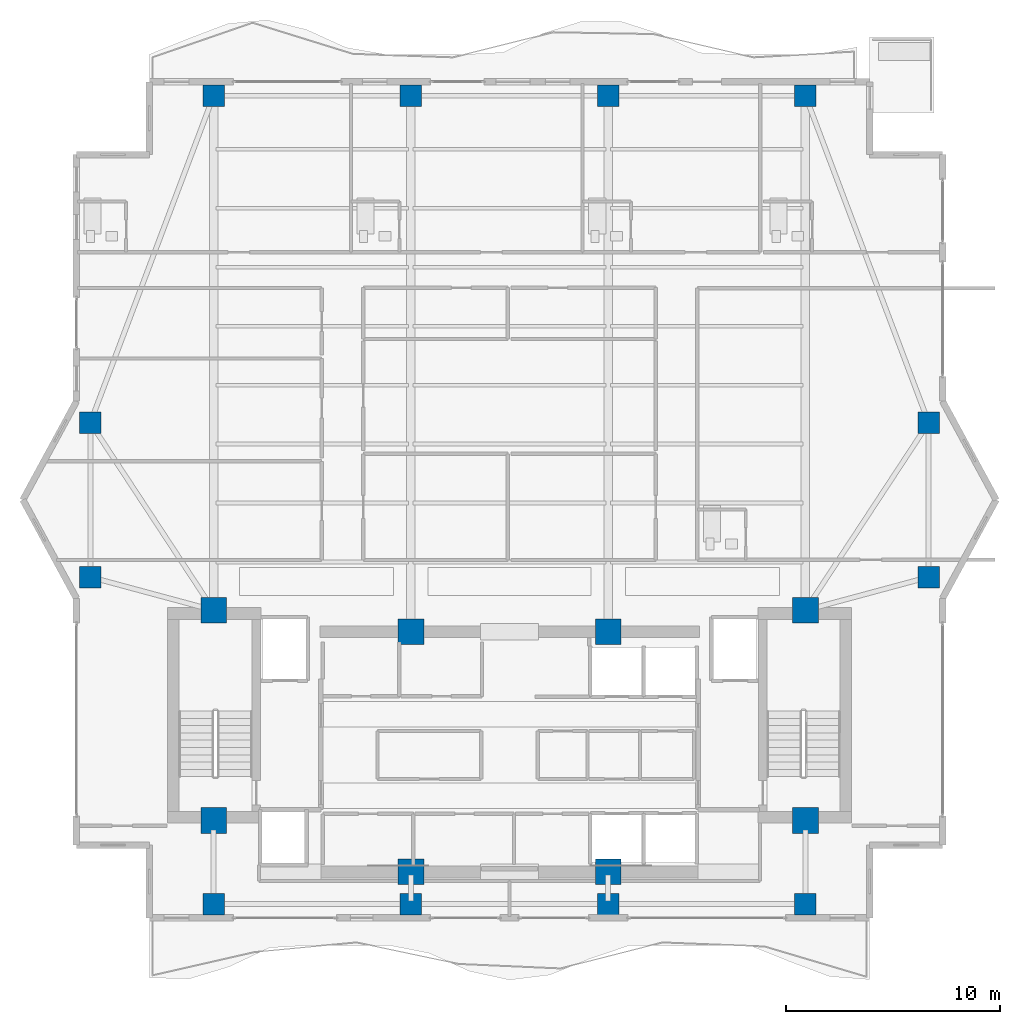
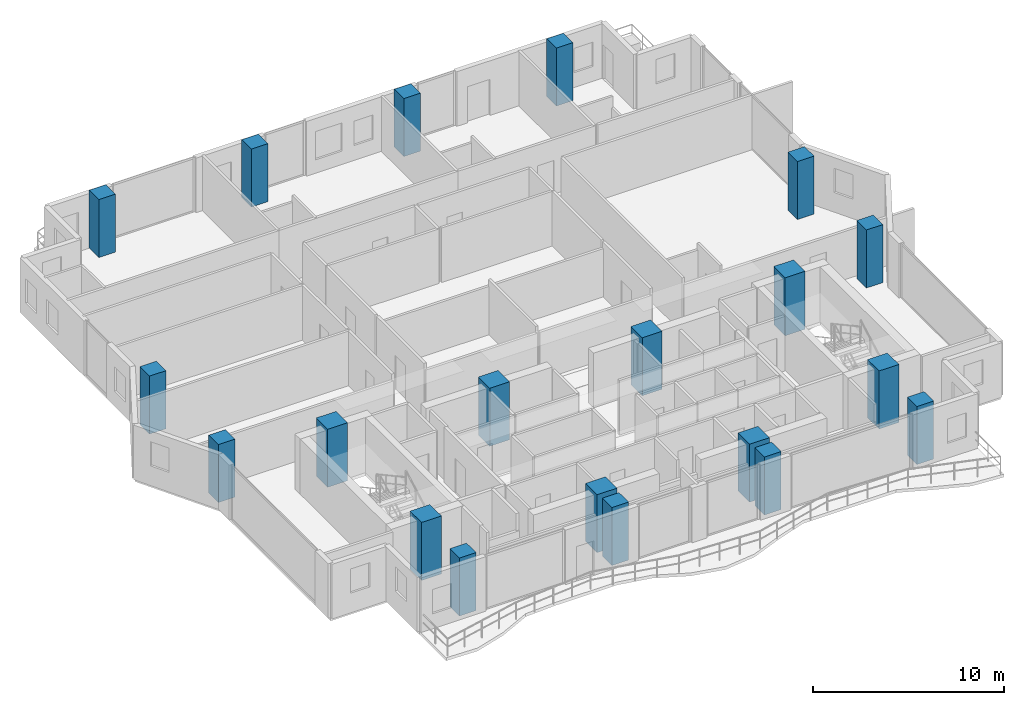
# One storey, part 1 of 24: 20 columns.
"""IFC4 building model written with IfcOpenShell, lengths in metres."""

from ifc_helpers import new_model, si_unit, direction, frame, origin, origin_2d, place, context, subcontext, project, spatial, rectangle, extrude, material, material_profile, profile_set, type_object, element, save


model = new_model("IFC4")

# Units and contexts
model_context = context("Model", 3, precision=1e-05, world=origin(), true_north=direction((0.0, 1.0)))
body_context = subcontext(model_context, "Body", "Model", "MODEL_VIEW")
ifc_project = project(units=[si_unit("LENGTHUNIT", "METRE"), si_unit("AREAUNIT", "SQUARE_METRE"), si_unit("VOLUMEUNIT", "CUBIC_METRE"), si_unit("PLANEANGLEUNIT", "RADIAN"), si_unit("MASSUNIT", "GRAM", prefix="KILO")], contexts=[model_context])

# Site, building, storey
site_placement = place(None, origin())
site = spatial("IfcSite", under=ifc_project, at=site_placement, CompositionType="ELEMENT")
building_placement = place(site_placement, origin())
building = spatial("IfcBuilding", under=site, at=building_placement, Name="Zuhayl Quay Hotel", CompositionType="ELEMENT")
storey_placement = place(building_placement, frame((0.0, 0.0, 269.25)))
storey = spatial("IfcBuildingStorey", under=building, at=storey_placement, Name="L68", CompositionType="ELEMENT", Elevation=269.25)

# Columns
ifc_material = material(Name="Concrete C60/75", Category="concrete")
ifc_material_profile_1 = material_profile(ifc_material, rectangle(XDim=1.199951171875, YDim=1.199951171875, at=origin_2d()), Name="RC1200X1200")
ifc_profile_set_1 = profile_set([ifc_material_profile_1], Name="Concrete C60/75")
column_type_1 = type_object("IfcColumnType", Name="CL_CC2_1200", PredefinedType="COLUMN", material=ifc_profile_set_1)
for number, where, z_axis, x_axis, name in (
    (1, (-13.800048828125, 14.35009765625, 0.0), (0.0, 0.0, 1.0), (1.0, 0.0, 0.0), "L68 Core Column CC_NW"),
    (2, (-4.60009765625, 13.35009765625, 0.0), (0.0, 0.0, 1.0), (1.0, 0.0, 0.0), "L68 Core Column CC_CNW"),
    (3, (4.60009765625, 13.35009765625, 0.0), (0.0, 0.0, 1.0), (1.0, 0.0, 0.0), "L68 Core Column CC_CNE"),
    (4, (13.800048828125, 14.35009765625, 0.0), (0.0, 0.0, 1.0), (1.0, 0.0, 0.0), "L68 Core Column CC_NE"),
    (5, (-13.800048828125, 4.550048828125, 0.0), (0.0, 0.0, 1.0), (1.0, 0.0, 0.0), "L68 Core Column CC_SW"),
    (6, (-4.60009765625, 2.14990234375, 0.0), (0.0, 0.0, 1.0), (1.0, 0.0, 0.0), "L68 Core Column CC_CSW"),
    (7, (4.60009765625, 2.14990234375, 0.0), (0.0, 0.0, 1.0), (1.0, 0.0, 0.0), "L68 Core Column CC_CSE"),
    (8, (13.800048828125, 4.550048828125, 0.0), (0.0, 0.0, 1.0), (1.0, 0.0, 0.0), "L68 Core Column CC_SE"),
):
    element("IfcColumn", number, at=place(storey_placement, frame(where, z_axis=z_axis, x_axis=x_axis)), inside=storey, type_object=column_type_1, Name=name, PredefinedType="COLUMN", context=body_context, shape_type="SweptSolid", body=[
        extrude(rectangle(XDim=1.199951171875, YDim=1.199951171875, at=origin_2d()), origin(), (0.0, 0.0, 1.0), 3.699951171875),
    ])
ifc_material_profile_2 = material_profile(ifc_material, rectangle(XDim=1.0, YDim=1.0, at=origin_2d()), Name="RC1000X1000")
ifc_profile_set_2 = profile_set([ifc_material_profile_2], Name="Concrete C60/75")
column_type_2 = type_object("IfcColumnType", Name="CL_MC4_1000", PredefinedType="COLUMN", material=ifc_profile_set_2)
for number, where, z_axis, x_axis, name in (
    (9, (-13.800048828125, 0.64990234375, 0.0), (0.0, 0.0, 1.0), (1.0, 0.0, 0.0), "L68 Mega-Column MC_S1"),
    (10, (-4.60009765625, 0.64990234375, 0.0), (0.0, 0.0, 1.0), (1.0, 0.0, 0.0), "L68 Mega-Column MC_S2"),
    (11, (4.60009765625, 0.64990234375, 0.0), (0.0, 0.0, 1.0), (1.0, 0.0, 0.0), "L68 Mega-Column MC_S3"),
    (12, (13.800048828125, 0.64990234375, 0.0), (0.0, 0.0, 1.0), (1.0, 0.0, 0.0), "L68 Mega-Column MC_S4"),
    (13, (-13.800048828125, 38.35009765625, 0.0), (0.0, 0.0, 1.0), (1.0, 0.0, 0.0), "L68 Mega-Column MC_N1"),
    (14, (-4.60009765625, 38.35009765625, 0.0), (0.0, 0.0, 1.0), (1.0, 0.0, 0.0), "L68 Mega-Column MC_N2"),
    (15, (4.60009765625, 38.35009765625, 0.0), (0.0, 0.0, 1.0), (1.0, 0.0, 0.0), "L68 Mega-Column MC_N3"),
    (16, (13.800048828125, 38.35009765625, 0.0), (0.0, 0.0, 1.0), (1.0, 0.0, 0.0), "L68 Mega-Column MC_N4"),
    (17, (-19.550048828125, 15.89990234375, 0.0), (0.0, 0.0, 1.0), (1.0, 0.0, 0.0), "L68 Mega-Column MC_W1"),
    (18, (-19.550048828125, 23.10009765625, 0.0), (0.0, 0.0, 1.0), (1.0, 0.0, 0.0), "L68 Mega-Column MC_W2"),
    (19, (19.550048828125, 15.89990234375, 0.0), (0.0, 0.0, 1.0), (1.0, 0.0, 0.0), "L68 Mega-Column MC_E1"),
    (20, (19.550048828125, 23.10009765625, 0.0), (0.0, 0.0, 1.0), (1.0, 0.0, 0.0), "L68 Mega-Column MC_E2"),
):
    element("IfcColumn", number, at=place(storey_placement, frame(where, z_axis=z_axis, x_axis=x_axis)), inside=storey, type_object=column_type_2, Name=name, PredefinedType="COLUMN", context=body_context, shape_type="SweptSolid", body=[
        extrude(rectangle(XDim=1.0, YDim=1.0, at=origin_2d()), origin(), (0.0, 0.0, 1.0), 3.699951171875),
    ])

save(model, "model.ifc")
